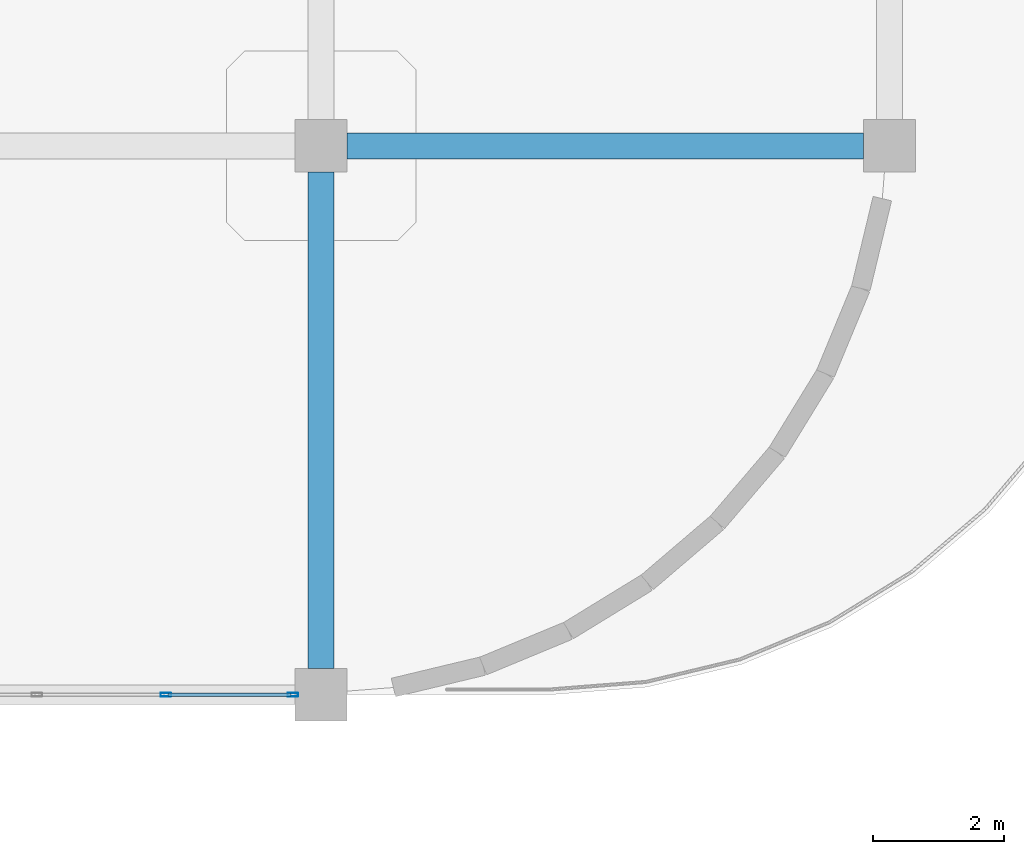
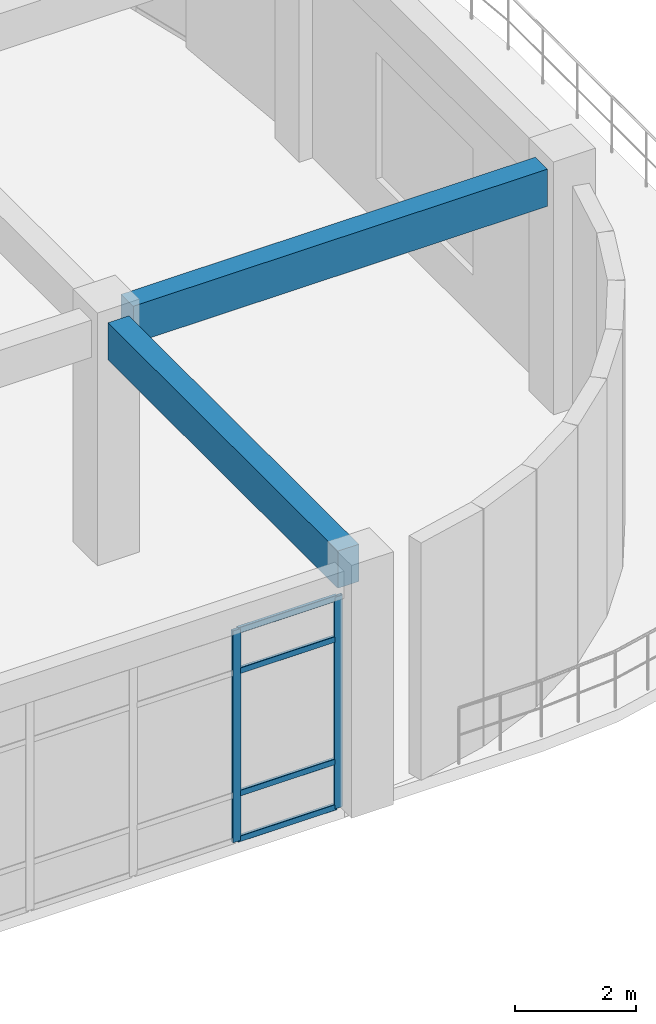
# One storey, part 63 of 96: 6 members, 2 beams, 1 element without a shape of its own.
"""IFC4 building model written with IfcOpenShell, lengths in metres."""

from ifc_helpers import new_model, si_unit, derived_unit, direction, frame, origin, origin_2d, place, context, subcontext, project, spatial, rectangle, hollow_rectangle, extrude, material, layer, layer_set, material_profile, profile_set, type_object, element, aggregate, save


model = new_model("IFC4")

# Units and contexts
model_context = context("Model", 3, precision=1e-05, world=origin(), true_north=direction((0.0, 1.0)))
body_context = subcontext(model_context, "Body", "Model", "MODEL_VIEW")
ifc_project = project(units=[si_unit("LENGTHUNIT", "METRE"), si_unit("AREAUNIT", "SQUARE_METRE"), si_unit("VOLUMEUNIT", "CUBIC_METRE"), si_unit("PLANEANGLEUNIT", "RADIAN"), si_unit("MASSUNIT", "GRAM", prefix="KILO"), derived_unit("THERMALTRANSMITTANCEUNIT", [(si_unit("MASSUNIT", "GRAM", prefix="KILO"), 1), (si_unit("TIMEUNIT", "SECOND"), -3), (si_unit("THERMODYNAMICTEMPERATUREUNIT", "KELVIN"), -1)])], contexts=[model_context])

# Site, building, storey
site_placement = place(None, origin())
site = spatial("IfcSite", under=ifc_project, at=site_placement, CompositionType="ELEMENT")
building_placement = place(site_placement, origin())
building = spatial("IfcBuilding", under=site, at=building_placement, Name="Qinzheling Arcade Emporium", CompositionType="ELEMENT")
storey_placement = place(building_placement, frame((0.0, 0.0, 21.60009765625)))
storey = spatial("IfcBuildingStorey", under=building, at=storey_placement, Name="L05", CompositionType="ELEMENT", Elevation=21.60009765625)

# Curtain wall, members
ifc_material_1 = material(Name="Anodised aluminium and solar-control double glazing", Category="aluminium")
ifc_layer = layer(ifc_material_1, 0.159912109375, Name="Anodised aluminium and solar-control double glazing", Category="aluminium")
ifc_layer_set = layer_set([ifc_layer], Name="Anodised aluminium and solar-control double glazing")
curtain_wall_type = type_object("IfcCurtainWallType", Name="Arcade Portal Glazed Curtain Wall", PredefinedType="NOTDEFINED", material=ifc_layer_set)
curtain_wall_placement = place(storey_placement, origin())
curtain_wall = element("IfcCurtainWall", 1, at=curtain_wall_placement, inside=storey, type_object=curtain_wall_type, Name="Curtain Wall CW-L05-343", PredefinedType="NOTDEFINED")
ifc_material_2 = material(Name="Anodised aluminium 6063-T6", Category="aluminium")
ifc_material_profile_1 = material_profile(ifc_material_2, hollow_rectangle(XDim=0.06005859375, YDim=0.159912109375, WallThickness=0.00390625, InnerFilletRadius=0.00390625, OuterFilletRadius=0.008056640625, at=origin_2d()), Name="RHS 160x60x4", Category="aluminium")
ifc_profile_set_1 = profile_set([ifc_material_profile_1], Name="Anodised aluminium 6063-T6")
member_type_1 = type_object("IfcMemberType", Name="Curtain Wall Mullion RHS160x60", PredefinedType="MULLION", material=ifc_profile_set_1)
member_1_placement = place(storey_placement, frame((130.068115234375, 73.800048828125, 0.0), z_axis=(0.0, 0.0, 1.0), x_axis=(0.0, -1.0, 0.0)))
member_1 = element("IfcMember", 2, at=member_1_placement, type_object=member_type_1, Name="CW05 mullion 1", PredefinedType="MULLION", context=body_context, shape_type="SweptSolid", body=[
    extrude(hollow_rectangle(XDim=0.06005859375, YDim=0.159912109375, WallThickness=0.00390625, InnerFilletRadius=0.00390625, OuterFilletRadius=0.008056640625, at=origin_2d()), origin(), (0.0, 0.0, 1.0), 4.27001953125),
])
member_2_placement = place(storey_placement, frame((128.1240234375, 73.800048828125, 0.0), z_axis=(0.0, 0.0, 1.0), x_axis=(0.0, -1.0, 0.0)))
member_2 = element("IfcMember", 3, at=member_2_placement, type_object=member_type_1, Name="CW05 mullion 2", PredefinedType="MULLION", context=body_context, shape_type="SweptSolid", body=[
    extrude(hollow_rectangle(XDim=0.06005859375, YDim=0.159912109375, WallThickness=0.00390625, InnerFilletRadius=0.00390625, OuterFilletRadius=0.008056640625, at=origin_2d()), origin(), (0.0, 0.0, 1.0), 4.27001953125),
])
ifc_material_profile_2 = material_profile(ifc_material_2, hollow_rectangle(XDim=0.06005859375, YDim=0.1201171875, WallThickness=0.00390625, InnerFilletRadius=0.00390625, OuterFilletRadius=0.008056640625, at=origin_2d()), Name="RHS 120x60x4", Category="aluminium")
ifc_profile_set_2 = profile_set([ifc_material_profile_2], Name="Anodised aluminium 6063-T6")
member_type_2 = type_object("IfcMemberType", Name="Curtain Wall Transom RHS120x60", PredefinedType="USERDEFINED", material=ifc_profile_set_2)
member_3_placement = place(storey_placement, frame((130.0380859375, 73.800048828125, 0.02978515625), z_axis=(-1.0, 0.0, 0.0), x_axis=(0.0, -1.0, 0.0)))
member_3 = element("IfcMember", 4, at=member_3_placement, type_object=member_type_2, Name="CW05 transom 1.1", ObjectType="TRANSOM", PredefinedType="USERDEFINED", context=body_context, shape_type="SweptSolid", body=[
    extrude(hollow_rectangle(XDim=0.06005859375, YDim=0.1201171875, WallThickness=0.00390625, InnerFilletRadius=0.00390625, OuterFilletRadius=0.008056640625, at=origin_2d()), origin(), (0.0, 0.0, 1.0), 1.884033203125),
])
member_4_placement = place(storey_placement, frame((130.0380859375, 73.800048828125, 0.949951171875), z_axis=(-1.0, 0.0, 0.0), x_axis=(0.0, -1.0, 0.0)))
member_4 = element("IfcMember", 5, at=member_4_placement, type_object=member_type_2, Name="CW05 transom 1.2", ObjectType="TRANSOM", PredefinedType="USERDEFINED", context=body_context, shape_type="SweptSolid", body=[
    extrude(hollow_rectangle(XDim=0.06005859375, YDim=0.1201171875, WallThickness=0.00390625, InnerFilletRadius=0.00390625, OuterFilletRadius=0.008056640625, at=origin_2d()), origin(), (0.0, 0.0, 1.0), 1.884033203125),
])
member_5_placement = place(storey_placement, frame((130.0380859375, 73.800048828125, 3.419921875), z_axis=(-1.0, 0.0, 0.0), x_axis=(0.0, -1.0, 0.0)))
member_5 = element("IfcMember", 6, at=member_5_placement, type_object=member_type_2, Name="CW05 transom 1.3", ObjectType="TRANSOM", PredefinedType="USERDEFINED", context=body_context, shape_type="SweptSolid", body=[
    extrude(hollow_rectangle(XDim=0.06005859375, YDim=0.1201171875, WallThickness=0.00390625, InnerFilletRadius=0.00390625, OuterFilletRadius=0.008056640625, at=origin_2d()), origin(), (0.0, 0.0, 1.0), 1.884033203125),
])
member_6_placement = place(storey_placement, frame((130.0380859375, 73.800048828125, 4.239990234375), z_axis=(-1.0, 0.0, 0.0), x_axis=(0.0, -1.0, 0.0)))
member_6 = element("IfcMember", 7, at=member_6_placement, type_object=member_type_2, Name="CW05 transom 1.4", ObjectType="TRANSOM", PredefinedType="USERDEFINED", context=body_context, shape_type="SweptSolid", body=[
    extrude(hollow_rectangle(XDim=0.06005859375, YDim=0.1201171875, WallThickness=0.00390625, InnerFilletRadius=0.00390625, OuterFilletRadius=0.008056640625, at=origin_2d()), origin(), (0.0, 0.0, 1.0), 1.884033203125),
])
aggregate(curtain_wall, [member_1, member_2, member_3, member_4, member_5, member_6])

# Beams
ifc_material_3 = material(Name="Concrete C40", Category="concrete")
ifc_material_profile_3 = material_profile(ifc_material_3, rectangle(XDim=0.39990234375, YDim=0.75, at=origin_2d()), Name="RC 400x750", Category="concrete")
ifc_profile_set_3 = profile_set([ifc_material_profile_3], Name="Concrete C40")
beam_type = type_object("IfcBeamType", Name="RC Interior Tie Beam 400x750 C40", PredefinedType="BEAM", material=ifc_profile_set_3)
beam_1_placement = place(storey_placement, frame((130.89990234375, 82.199951171875, 4.4599609375), z_axis=(1.0, 0.0, 0.0), x_axis=(0.0, 1.0, 0.0)))
element("IfcBeam", 8, at=beam_1_placement, inside=storey, type_object=beam_type, Name="Beam BM-L05-X-K-16", PredefinedType="BEAM", context=body_context, shape_type="SweptSolid", body=[
    extrude(rectangle(XDim=0.39990234375, YDim=0.75, at=origin_2d()), origin(), (0.0, 0.0, 1.0), 7.900146484375),
])
beam_2_placement = place(storey_placement, frame((130.5, 74.199951171875, 4.4599609375), z_axis=(0.0, 1.0, 0.0), x_axis=(-1.0, 0.0, 0.0)))
element("IfcBeam", 9, at=beam_2_placement, inside=storey, type_object=beam_type, Name="Beam BM-L05-Y-16-J", PredefinedType="BEAM", context=body_context, shape_type="SweptSolid", body=[
    extrude(rectangle(XDim=0.39990234375, YDim=0.75, at=origin_2d()), origin(), (0.0, 0.0, 1.0), 7.60009765625),
])

save(model, "model.ifc")
